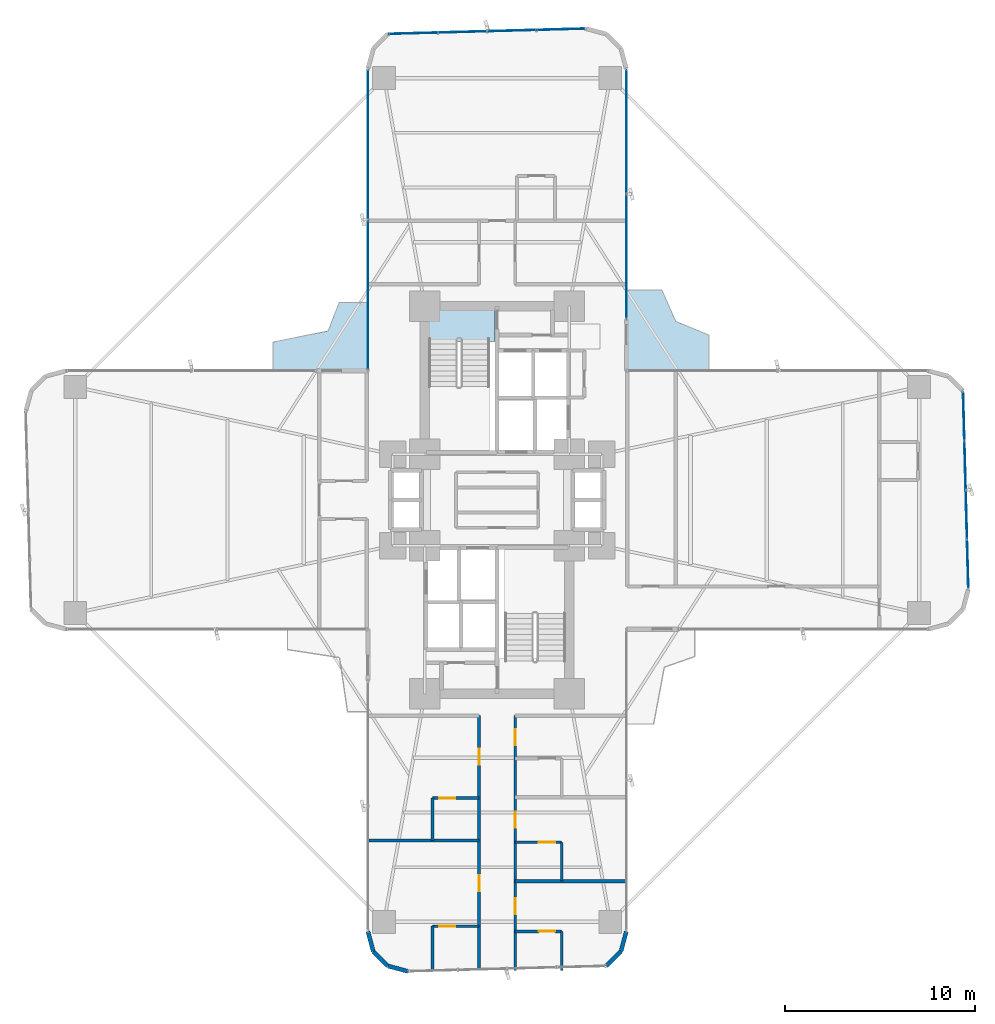
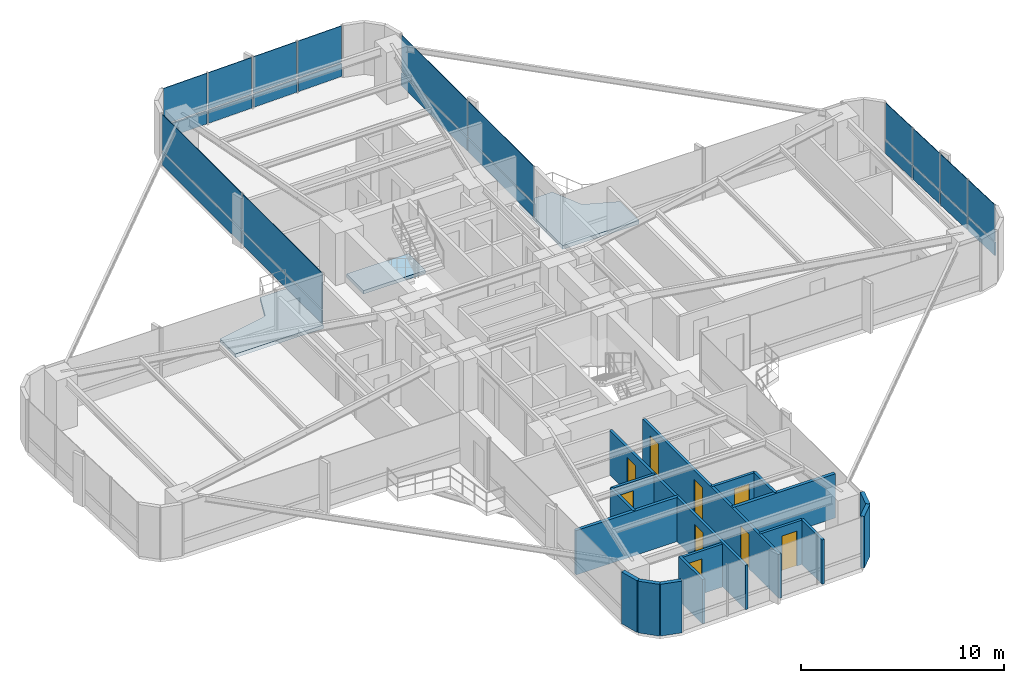
# One storey, part 21 of 25: 24 plates, 17 walls, 9 doors, 3 slabs, 9 openings, 4 elements without a shape of their own.
"""IFC4 building model written with IfcOpenShell, lengths in metres."""

from ifc_helpers import new_model, si_unit, direction, frame, frame_2d, origin, origin_2d, place, context, subcontext, project, spatial, polyline, rectangle, outline, extrude, source, transform, mapped, material, layer, layer_set, type_object, element, fill, aggregate, save


model = new_model("IFC4")

# Units and contexts
model_context = context("Model", 3, precision=1e-05, world=origin(), true_north=direction((0.0, 1.0)))
body_context = subcontext(model_context, "Body", "Model", "MODEL_VIEW")
ifc_project = project(units=[si_unit("LENGTHUNIT", "METRE"), si_unit("AREAUNIT", "SQUARE_METRE"), si_unit("VOLUMEUNIT", "CUBIC_METRE"), si_unit("PLANEANGLEUNIT", "RADIAN"), si_unit("MASSUNIT", "GRAM", prefix="KILO")], contexts=[model_context])

# Site, building, storey
site_placement = place(None, origin())
site = spatial("IfcSite", under=ifc_project, at=site_placement, CompositionType="ELEMENT")
building_placement = place(site_placement, origin())
building = spatial("IfcBuilding", under=site, at=building_placement, Name="Sahyath Konkavel Grand Hotel", CompositionType="ELEMENT")
storey_placement = place(building_placement, frame((0.0, 0.0, 39.85009765625)))
storey = spatial("IfcBuildingStorey", under=building, at=storey_placement, Name="L10", CompositionType="ELEMENT", Elevation=39.85009765625)

# Slabs
ifc_material_1 = material(Name="Concrete C40/50", Category="concrete")
ifc_layer_1 = layer(ifc_material_1, 0.219970703125)
ifc_layer_set_1 = layer_set([ifc_layer_1], Name="Concrete C40/50")
slab_type_1 = type_object("IfcSlabType", Name="SLB-BALCONY-220", PredefinedType="FLOOR", material=ifc_layer_set_1)
slab_1_placement = place(storey_placement, frame((0.0, 0.0, -0.22021484375)))
element("IfcSlab", 1, at=slab_1_placement, inside=storey, type_object=slab_type_1, Name="L10 Winter-Garden Balcony NE", PredefinedType="FLOOR", context=body_context, shape_type="SweptSolid", body=[
    extrude(outline(polyline([(6.800048828125, 6.800048828125), (11.155029296875, 6.800048828125), (11.155029296875, 8.670654296875), (9.39794921875, 9.39794921875), (8.670654296875, 11.044921875), (6.800048828125, 11.044921875), (6.800048828125, 6.800048828125)])), origin(), (0.0, 0.0, 1.0), 0.22021484375),
])
slab_2_placement = place(storey_placement, frame((0.0, 0.0, -0.22021484375)))
element("IfcSlab", 2, at=slab_2_placement, inside=storey, type_object=slab_type_1, Name="L10 Winter-Garden Balcony NW", PredefinedType="FLOOR", context=body_context, shape_type="SweptSolid", body=[
    extrude(outline(polyline([(-6.800048828125, 6.800048828125), (-6.800048828125, 10.402099609375), (-8.306884765625, 10.402099609375), (-8.89306640625, 8.89306640625), (-11.798095703125, 8.306884765625), (-11.798095703125, 6.800048828125), (-6.800048828125, 6.800048828125)])), origin(), (0.0, 0.0, 1.0), 0.22021484375),
])
ifc_layer_2 = layer(ifc_material_1, 0.199951171875)
ifc_layer_set_2 = layer_set([ifc_layer_2], Name="Concrete C40/50")
slab_type_2 = type_object("IfcSlabType", Name="SLB-STAIR-LND", PredefinedType="LANDING", material=ifc_layer_set_2)
slab_3_placement = place(storey_placement, frame((0.0, 0.0, -0.2001953125)))
element("IfcSlab", 3, at=slab_3_placement, inside=storey, type_object=slab_type_2, Name="L10 Stair ST-1 Floor Landing Slab", PredefinedType="LANDING", context=body_context, shape_type="SweptSolid", body=[
    extrude(outline(polyline([(-3.6201171875, 8.35009765625), (-0.10009765625, 8.35009765625), (-0.10009765625, 10.02001953125), (-3.6201171875, 10.02001953125), (-3.6201171875, 8.35009765625)])), origin(), (0.0, 0.0, 1.0), 0.2001953125),
])

# Curtain wall, plates
ifc_material_2 = material(Name="Anodised Bronze Aluminium & Low-E Glazing", Category="aluminium")
curtain_wall_type = type_object("IfcCurtainWallType", Name="CW-ZONE1", PredefinedType="NOTDEFINED", material=ifc_material_2)
curtain_wall_1_placement = place(storey_placement, origin())
curtain_wall_1 = element("IfcCurtainWall", 4, at=curtain_wall_1_placement, inside=storey, type_object=curtain_wall_type, Name="L10 Unitised Curtain Wall F15", PredefinedType="NOTDEFINED")
ifc_material_3 = material(Name="Warm Buff Sandstone Cladding", Category="masonry")
ifc_layer_3 = layer(ifc_material_3, 0.074951171875)
ifc_layer_set_3 = layer_set([ifc_layer_3], Name="Warm Buff Sandstone Cladding")
plate_type_1 = type_object("IfcPlateType", Name="PNL-SPANDREL-STONE", PredefinedType="SHEET", material=ifc_layer_set_3)
shared_shape_1 = source(origin(), body_context, "Body", "SweptSolid", [
    extrude(rectangle(XDim=7.830078125, YDim=0.074951171875, at=origin_2d()), origin(), (0.0, 0.0, 1.0), 0.77001953125),
])
plate_1_placement = place(storey_placement, frame((-6.800048828125, 18.705078125, 0.039794921875), z_axis=(0.0, 0.0, 1.0), x_axis=(0.0, -1.0, 0.0)))
plate_1 = element("IfcPlate", 5, at=plate_1_placement, type_object=plate_type_1, Name="L10 Sandstone Relief Spandrel Panel F15-0", PredefinedType="SHEET", context=body_context, shape_type="MappedRepresentation", body=[
    mapped(shared_shape_1, transform((0.0, 0.0, 0.0), scale=1.0)),
])
plate_2_placement = place(storey_placement, frame((-6.800048828125, 10.794921875, 0.039794921875), z_axis=(0.0, 0.0, 1.0), x_axis=(0.0, -1.0, 0.0)))
plate_2 = element("IfcPlate", 6, at=plate_2_placement, type_object=plate_type_1, Name="L10 Sandstone Relief Spandrel Panel F15-1", PredefinedType="SHEET", context=body_context, shape_type="MappedRepresentation", body=[
    mapped(shared_shape_1, transform((0.0, 0.0, 0.0), scale=1.0)),
])
ifc_material_4 = material(Name="Low-E Solar Control Double Glazing", Category="glass")
ifc_layer_4 = layer(ifc_material_4, 0.035888671875)
ifc_layer_set_4 = layer_set([ifc_layer_4], Name="Low-E Solar Control Double Glazing")
plate_type_2 = type_object("IfcPlateType", Name="PNL-VISION-LOWE", PredefinedType="CURTAIN_PANEL", material=ifc_layer_set_4)
shared_shape_2 = source(origin(), body_context, "Body", "SweptSolid", [
    extrude(rectangle(XDim=7.830078125, YDim=0.035888671875, at=origin_2d()), origin(), (0.0, 0.0, 1.0), 2.179931640625),
])
plate_3_placement = place(storey_placement, frame((-6.800048828125, 18.705078125, 0.89013671875), z_axis=(0.0, 0.0, 1.0), x_axis=(0.0, -1.0, 0.0)))
plate_3 = element("IfcPlate", 7, at=plate_3_placement, type_object=plate_type_2, Name="L10 Low-E Vision Glazing Panel F15-0", PredefinedType="CURTAIN_PANEL", context=body_context, shape_type="MappedRepresentation", body=[
    mapped(shared_shape_2, transform((0.0, 0.0, 0.0), scale=1.0)),
])
plate_4_placement = place(storey_placement, frame((-6.800048828125, 10.794921875, 0.89013671875), z_axis=(0.0, 0.0, 1.0), x_axis=(0.0, -1.0, 0.0)))
plate_4 = element("IfcPlate", 8, at=plate_4_placement, type_object=plate_type_2, Name="L10 Low-E Vision Glazing Panel F15-1", PredefinedType="CURTAIN_PANEL", context=body_context, shape_type="MappedRepresentation", body=[
    mapped(shared_shape_2, transform((0.0, 0.0, 0.0), scale=1.0)),
])
aggregate(curtain_wall_1, [plate_1, plate_3, plate_2, plate_4])

curtain_wall_2_placement = place(storey_placement, origin())
curtain_wall_2 = element("IfcCurtainWall", 9, at=curtain_wall_2_placement, inside=storey, type_object=curtain_wall_type, Name="L10 Unitised Curtain Wall F4", PredefinedType="NOTDEFINED")
shared_shape_3 = source(origin(), body_context, "Body", "SweptSolid", [
    extrude(rectangle(XDim=2.513427734375, YDim=0.074951171875, at=origin_2d()), origin(), (0.0, 0.0, 1.0), 0.77001953125),
])
plate_5_placement = place(storey_placement, frame((24.763916015625, -3.36376953125, 0.039794921875), z_axis=(0.0, 0.0, 1.0), x_axis=(-0.026909728301, 0.999637867691, 0.0)))
plate_5 = element("IfcPlate", 10, at=plate_5_placement, type_object=plate_type_1, Name="L10 Sandstone Relief Spandrel Panel F4-0", PredefinedType="SHEET", context=body_context, shape_type="MappedRepresentation", body=[
    mapped(shared_shape_3, transform((0.0, 0.0, 0.0), scale=1.0)),
])
plate_6_placement = place(storey_placement, frame((24.694091796875, -0.771240234375, 0.039794921875), z_axis=(0.0, 0.0, 1.0), x_axis=(-0.026909728301, 0.999637867691, 0.0)))
plate_6 = element("IfcPlate", 11, at=plate_6_placement, type_object=plate_type_1, Name="L10 Sandstone Relief Spandrel Panel F4-1", PredefinedType="SHEET", context=body_context, shape_type="MappedRepresentation", body=[
    mapped(shared_shape_3, transform((0.0, 0.0, 0.0), scale=1.0)),
])
plate_7_placement = place(storey_placement, frame((24.62451171875, 1.8212890625, 0.039794921875), z_axis=(0.0, 0.0, 1.0), x_axis=(-0.026909728301, 0.999637867691, 0.0)))
plate_7 = element("IfcPlate", 12, at=plate_7_placement, type_object=plate_type_1, Name="L10 Sandstone Relief Spandrel Panel F4-2", PredefinedType="SHEET", context=body_context, shape_type="MappedRepresentation", body=[
    mapped(shared_shape_3, transform((0.0, 0.0, 0.0), scale=1.0)),
])
plate_8_placement = place(storey_placement, frame((24.5546875, 4.413818359375, 0.039794921875), z_axis=(0.0, 0.0, 1.0), x_axis=(-0.026909728301, 0.999637867691, 0.0)))
plate_8 = element("IfcPlate", 13, at=plate_8_placement, type_object=plate_type_1, Name="L10 Sandstone Relief Spandrel Panel F4-3", PredefinedType="SHEET", context=body_context, shape_type="MappedRepresentation", body=[
    mapped(shared_shape_3, transform((0.0, 0.0, 0.0), scale=1.0)),
])

curtain_wall_3_placement = place(storey_placement, origin())
curtain_wall_3 = element("IfcCurtainWall", 14, at=curtain_wall_3_placement, inside=storey, type_object=curtain_wall_type, Name="L10 Unitised Curtain Wall F12", PredefinedType="NOTDEFINED")
plate_9_placement = place(storey_placement, frame((3.36376953125, 24.763916015625, 0.039794921875), z_axis=(0.0, 0.0, 1.0), x_axis=(-0.999637867691, -0.026909728301, 0.0)))
plate_9 = element("IfcPlate", 15, at=plate_9_placement, type_object=plate_type_1, Name="L10 Sandstone Relief Spandrel Panel F12-0", PredefinedType="SHEET", context=body_context, shape_type="MappedRepresentation", body=[
    mapped(shared_shape_3, transform((0.0, 0.0, 0.0), scale=1.0)),
])
plate_10_placement = place(storey_placement, frame((0.771240234375, 24.694091796875, 0.039794921875), z_axis=(0.0, 0.0, 1.0), x_axis=(-0.999637867691, -0.026909728301, 0.0)))
plate_10 = element("IfcPlate", 16, at=plate_10_placement, type_object=plate_type_1, Name="L10 Sandstone Relief Spandrel Panel F12-1", PredefinedType="SHEET", context=body_context, shape_type="MappedRepresentation", body=[
    mapped(shared_shape_3, transform((0.0, 0.0, 0.0), scale=1.0)),
])
plate_11_placement = place(storey_placement, frame((-1.8212890625, 24.62451171875, 0.039794921875), z_axis=(0.0, 0.0, 1.0), x_axis=(-0.999637867691, -0.026909728301, 0.0)))
plate_11 = element("IfcPlate", 17, at=plate_11_placement, type_object=plate_type_1, Name="L10 Sandstone Relief Spandrel Panel F12-2", PredefinedType="SHEET", context=body_context, shape_type="MappedRepresentation", body=[
    mapped(shared_shape_3, transform((0.0, 0.0, 0.0), scale=1.0)),
])
plate_12_placement = place(storey_placement, frame((-4.413818359375, 24.5546875, 0.039794921875), z_axis=(0.0, 0.0, 1.0), x_axis=(-0.999637867691, -0.026909728301, 0.0)))
plate_12 = element("IfcPlate", 18, at=plate_12_placement, type_object=plate_type_1, Name="L10 Sandstone Relief Spandrel Panel F12-3", PredefinedType="SHEET", context=body_context, shape_type="MappedRepresentation", body=[
    mapped(shared_shape_3, transform((0.0, 0.0, 0.0), scale=1.0)),
])

# Plate
shared_shape_4 = source(origin(), body_context, "Body", "SweptSolid", [
    extrude(rectangle(XDim=2.513427734375, YDim=0.035888671875, at=origin_2d()), origin(), (0.0, 0.0, 1.0), 2.179931640625),
])
plate_13_placement = place(storey_placement, frame((24.763916015625, -3.36376953125, 0.89013671875), z_axis=(0.0, 0.0, 1.0), x_axis=(-0.026909728301, 0.999637867691, 0.0)))
plate_13 = element("IfcPlate", 19, at=plate_13_placement, type_object=plate_type_2, Name="L10 Low-E Vision Glazing Panel F4-0", PredefinedType="CURTAIN_PANEL", context=body_context, shape_type="MappedRepresentation", body=[
    mapped(shared_shape_4, transform((0.0, 0.0, 0.0), scale=1.0)),
])

plate_14_placement = place(storey_placement, frame((24.694091796875, -0.771240234375, 0.89013671875), z_axis=(0.0, 0.0, 1.0), x_axis=(-0.026909728301, 0.999637867691, 0.0)))
plate_14 = element("IfcPlate", 20, at=plate_14_placement, type_object=plate_type_2, Name="L10 Low-E Vision Glazing Panel F4-1", PredefinedType="CURTAIN_PANEL", context=body_context, shape_type="MappedRepresentation", body=[
    mapped(shared_shape_4, transform((0.0, 0.0, 0.0), scale=1.0)),
])

plate_15_placement = place(storey_placement, frame((24.62451171875, 1.8212890625, 0.89013671875), z_axis=(0.0, 0.0, 1.0), x_axis=(-0.026909728301, 0.999637867691, 0.0)))
plate_15 = element("IfcPlate", 21, at=plate_15_placement, type_object=plate_type_2, Name="L10 Low-E Vision Glazing Panel F4-2", PredefinedType="CURTAIN_PANEL", context=body_context, shape_type="MappedRepresentation", body=[
    mapped(shared_shape_4, transform((0.0, 0.0, 0.0), scale=1.0)),
])

plate_16_placement = place(storey_placement, frame((24.5546875, 4.413818359375, 0.89013671875), z_axis=(0.0, 0.0, 1.0), x_axis=(-0.026909728301, 0.999637867691, 0.0)))
plate_16 = element("IfcPlate", 22, at=plate_16_placement, type_object=plate_type_2, Name="L10 Low-E Vision Glazing Panel F4-3", PredefinedType="CURTAIN_PANEL", context=body_context, shape_type="MappedRepresentation", body=[
    mapped(shared_shape_4, transform((0.0, 0.0, 0.0), scale=1.0)),
])

aggregate(curtain_wall_2, [plate_5, plate_13, plate_6, plate_14, plate_7, plate_15, plate_8, plate_16])

plate_17_placement = place(storey_placement, frame((3.36376953125, 24.763916015625, 0.89013671875), z_axis=(0.0, 0.0, 1.0), x_axis=(-0.999637867691, -0.026909728301, 0.0)))
plate_17 = element("IfcPlate", 23, at=plate_17_placement, type_object=plate_type_2, Name="L10 Low-E Vision Glazing Panel F12-0", PredefinedType="CURTAIN_PANEL", context=body_context, shape_type="MappedRepresentation", body=[
    mapped(shared_shape_4, transform((0.0, 0.0, 0.0), scale=1.0)),
])

plate_18_placement = place(storey_placement, frame((0.771240234375, 24.694091796875, 0.89013671875), z_axis=(0.0, 0.0, 1.0), x_axis=(-0.999637867691, -0.026909728301, 0.0)))
plate_18 = element("IfcPlate", 24, at=plate_18_placement, type_object=plate_type_2, Name="L10 Low-E Vision Glazing Panel F12-1", PredefinedType="CURTAIN_PANEL", context=body_context, shape_type="MappedRepresentation", body=[
    mapped(shared_shape_4, transform((0.0, 0.0, 0.0), scale=1.0)),
])

plate_19_placement = place(storey_placement, frame((-1.8212890625, 24.62451171875, 0.89013671875), z_axis=(0.0, 0.0, 1.0), x_axis=(-0.999637867691, -0.026909728301, 0.0)))
plate_19 = element("IfcPlate", 25, at=plate_19_placement, type_object=plate_type_2, Name="L10 Low-E Vision Glazing Panel F12-2", PredefinedType="CURTAIN_PANEL", context=body_context, shape_type="MappedRepresentation", body=[
    mapped(shared_shape_4, transform((0.0, 0.0, 0.0), scale=1.0)),
])

plate_20_placement = place(storey_placement, frame((-4.413818359375, 24.5546875, 0.89013671875), z_axis=(0.0, 0.0, 1.0), x_axis=(-0.999637867691, -0.026909728301, 0.0)))
plate_20 = element("IfcPlate", 26, at=plate_20_placement, type_object=plate_type_2, Name="L10 Low-E Vision Glazing Panel F12-3", PredefinedType="CURTAIN_PANEL", context=body_context, shape_type="MappedRepresentation", body=[
    mapped(shared_shape_4, transform((0.0, 0.0, 0.0), scale=1.0)),
])

aggregate(curtain_wall_3, [plate_9, plate_17, plate_10, plate_18, plate_11, plate_19, plate_12, plate_20])

# Curtain wall, plates
curtain_wall_4_placement = place(storey_placement, origin())
curtain_wall_4 = element("IfcCurtainWall", 27, at=curtain_wall_4_placement, inside=storey, type_object=curtain_wall_type, Name="L10 Unitised Curtain Wall F8", PredefinedType="NOTDEFINED")
shared_shape_5 = source(origin(), body_context, "Body", "SweptSolid", [
    extrude(rectangle(XDim=6.47998046875, YDim=0.074951171875, at=origin_2d()), origin(), (0.0, 0.0, 1.0), 0.77001953125),
])
plate_21_placement = place(storey_placement, frame((6.800048828125, 12.820068359375, 0.039794921875), z_axis=(0.0, 0.0, 1.0), x_axis=(0.0, 1.0, 0.0)))
plate_21 = element("IfcPlate", 28, at=plate_21_placement, type_object=plate_type_1, Name="L10 Sandstone Relief Spandrel Panel F8-0", PredefinedType="SHEET", context=body_context, shape_type="MappedRepresentation", body=[
    mapped(shared_shape_5, transform((0.0, 0.0, 0.0), scale=1.0)),
])
plate_22_placement = place(storey_placement, frame((6.800048828125, 19.3798828125, 0.039794921875), z_axis=(0.0, 0.0, 1.0), x_axis=(0.0, 1.0, 0.0)))
plate_22 = element("IfcPlate", 29, at=plate_22_placement, type_object=plate_type_1, Name="L10 Sandstone Relief Spandrel Panel F8-1", PredefinedType="SHEET", context=body_context, shape_type="MappedRepresentation", body=[
    mapped(shared_shape_5, transform((0.0, 0.0, 0.0), scale=1.0)),
])
shared_shape_6 = source(origin(), body_context, "Body", "SweptSolid", [
    extrude(rectangle(XDim=6.47998046875, YDim=0.035888671875, at=origin_2d()), origin(), (0.0, 0.0, 1.0), 2.179931640625),
])
plate_23_placement = place(storey_placement, frame((6.800048828125, 12.820068359375, 0.89013671875), z_axis=(0.0, 0.0, 1.0), x_axis=(0.0, 1.0, 0.0)))
plate_23 = element("IfcPlate", 30, at=plate_23_placement, type_object=plate_type_2, Name="L10 Low-E Vision Glazing Panel F8-0", PredefinedType="CURTAIN_PANEL", context=body_context, shape_type="MappedRepresentation", body=[
    mapped(shared_shape_6, transform((0.0, 0.0, 0.0), scale=1.0)),
])
plate_24_placement = place(storey_placement, frame((6.800048828125, 19.3798828125, 0.89013671875), z_axis=(0.0, 0.0, 1.0), x_axis=(0.0, 1.0, 0.0)))
plate_24 = element("IfcPlate", 31, at=plate_24_placement, type_object=plate_type_2, Name="L10 Low-E Vision Glazing Panel F8-1", PredefinedType="CURTAIN_PANEL", context=body_context, shape_type="MappedRepresentation", body=[
    mapped(shared_shape_6, transform((0.0, 0.0, 0.0), scale=1.0)),
])
aggregate(curtain_wall_4, [plate_21, plate_23, plate_22, plate_24])

# Walls
ifc_material_5 = material(Name="Warm Buff Sandstone Insulated Concrete C40/50", Category="masonry")
ifc_layer_5 = layer(ifc_material_5, 0.219970703125)
ifc_layer_set_5 = layer_set([ifc_layer_5], Name="Warm Buff Sandstone Insulated Concrete C40/50")
wall_type_1 = type_object("IfcWallType", Name="WLL-BALC-THRESH", PredefinedType="STANDARD", material=ifc_layer_set_5)
for number, where, z_axis, x_axis, name in (
    (32, (-6.800048828125, -22.699951171875, 0.0), (0.0, 0.0, 1.0), (0.25872485917, -0.965951058412, 0.0), "L10 Rounded Corner Sandstone Pier 25"),
    (33, (-6.518798828125, -23.75, 0.0), (0.0, 0.0, 1.0), (0.707106781187, -0.707106781187, 0.0), "L10 Rounded Corner Sandstone Pier 26"),
    (34, (-5.75, -24.518798828125, 0.0), (0.0, 0.0, 1.0), (0.965951058412, -0.25872485917, 0.0), "L10 Rounded Corner Sandstone Pier 27"),
    (35, (5.75, -24.518798828125, 0.0), (0.0, 0.0, 1.0), (0.707106781187, 0.707106781187, 0.0), "L10 Rounded Corner Sandstone Pier 29"),
    (36, (6.518798828125, -23.75, 0.0), (0.0, 0.0, 1.0), (0.25872485917, 0.965951058412, 0.0), "L10 Rounded Corner Sandstone Pier 30"),
):
    element("IfcWall", number, at=place(storey_placement, frame(where, z_axis=z_axis, x_axis=x_axis)), inside=storey, type_object=wall_type_1, Name=name, PredefinedType="STANDARD", context=body_context, shape_type="SweptSolid", body=[
        extrude(rectangle(XDim=1.087158203125, YDim=0.219970703125, at=frame_2d((0.54345703125, 0.0))), origin(), (0.0, 0.0, 1.0), 3.10986328125),
    ])
ifc_material_6 = material(Name="Twin-Stud Acoustic Gypsum Plasterboard Partition")
ifc_layer_6 = layer(ifc_material_6, 0.179931640625)
ifc_layer_set_6 = layer_set([ifc_layer_6], Name="Twin-Stud Acoustic Gypsum Plasterboard Partition")
wall_type_2 = type_object("IfcWallType", Name="WLL-DEMISE-180", PredefinedType="PARTITIONING", material=ifc_layer_set_6)
for number, where, z_axis, x_axis, name in (
    (37, (0.949951171875, -20.06005859375, 0.0), (0.0, 0.0, 1.0), (1.0, 0.0, 0.0), "L10 Partition S-S2L-DEM"),
    (38, (-0.949951171875, -17.916015625, 0.0), (0.0, 0.0, 1.0), (-1.0, 0.0, 0.0), "L10 Partition S-S1R-DEM"),
):
    element("IfcWall", number, at=place(storey_placement, frame(where, z_axis=z_axis, x_axis=x_axis)), inside=storey, type_object=wall_type_2, Name=name, PredefinedType="PARTITIONING", context=body_context, shape_type="SweptSolid", body=[
        extrude(rectangle(XDim=5.800048828125, YDim=0.179931640625, at=frame_2d((2.89990234375, 0.0))), origin(), (0.0, 0.0, 1.0), 2.659912109375),
    ])

# Wall, openings, doors
ifc_material_7 = material(Name="Fire-Rated Gypsum Plasterboard Partition")
ifc_layer_7 = layer(ifc_material_7, 0.14990234375)
ifc_layer_set_7 = layer_set([ifc_layer_7], Name="Fire-Rated Gypsum Plasterboard Partition")
wall_type_3 = type_object("IfcWallType", Name="WLL-PART-150", PredefinedType="PARTITIONING", material=ifc_layer_set_7)
wall_1_placement = place(storey_placement, frame((0.949951171875, -11.35009765625, 0.0), z_axis=(0.0, 0.0, 1.0), x_axis=(0.0, -1.0, 0.0)))
wall_1 = element("IfcWall", 39, at=wall_1_placement, inside=storey, type_object=wall_type_3, Name="L10 Partition S-CL", PredefinedType="PARTITIONING", context=body_context, shape_type="SweptSolid", body=[
    extrude(rectangle(XDim=13.39990234375, YDim=0.14990234375, at=frame_2d((6.699951171875, 0.0))), origin(), (0.0, 0.0, 1.0), 2.659912109375),
])
opening_1_placement = place(wall_1_placement, frame((0.699951171875, 0.0, 0.0)))
opening_1 = element("IfcOpeningElement", 40, at=opening_1_placement, cuts=wall_1, Name="Opening D-F06D", PredefinedType="OPENING", context=body_context, shape_type="SweptSolid", body=[
    extrude(rectangle(XDim=0.85009765625, YDim=2.10009765625, at=frame_2d((0.425048828125, 1.050048828125))), frame((0.0, 0.0849609375, 0.0), z_axis=(0.0, -1.0, 0.0), x_axis=(1.0, 0.0, 0.0)), (0.0, 0.0, 1.0), 0.169921875),
])
opening_2_placement = place(wall_1_placement, frame((5.049072265625, 0.0, 0.0)))
opening_2 = element("IfcOpeningElement", 41, at=opening_2_placement, cuts=wall_1, Name="Opening D-F06D", PredefinedType="OPENING", context=body_context, shape_type="SweptSolid", body=[
    extrude(rectangle(XDim=0.85009765625, YDim=2.10009765625, at=frame_2d((0.425048828125, 1.050048828125))), frame((0.0, 0.0849609375, 0.0), z_axis=(0.0, -1.0, 0.0), x_axis=(1.0, 0.0, 0.0)), (0.0, 0.0, 1.0), 0.169921875),
])
opening_3_placement = place(wall_1_placement, frame((9.60498046875, 0.0, 0.0)))
opening_3 = element("IfcOpeningElement", 42, at=opening_3_placement, cuts=wall_1, Name="Opening D-F06D", PredefinedType="OPENING", context=body_context, shape_type="SweptSolid", body=[
    extrude(rectangle(XDim=0.85009765625, YDim=2.10009765625, at=frame_2d((0.425048828125, 1.050048828125))), frame((0.0, 0.0849609375, 0.0), z_axis=(0.0, -1.0, 0.0), x_axis=(1.0, 0.0, 0.0)), (0.0, 0.0, 1.0), 0.169921875),
])
ifc_material_8 = material(Name="Fire-Rated Shaft Access Door")
door_type_1 = type_object("IfcDoorType", Name="DR-FD60-850", OperationType="NOTDEFINED", PredefinedType="DOOR", material=ifc_material_8)
shared_shape_7 = source(origin(), body_context, "Body", "SweptSolid", [
    extrude(rectangle(XDim=0.85009765625, YDim=0.050048828125, at=origin_2d()), origin(), (0.0, 0.0, 1.0), 2.10009765625),
])
door_1_placement = place(opening_1_placement, frame((0.425048828125, 0.0, 0.0)))
door_1 = element("IfcDoor", 43, at=door_1_placement, inside=storey, type_object=door_type_1, Name="L10 Door S-S1L-ED", OperationType="SINGLE_SWING_LEFT", OverallHeight=2.10009765625, OverallWidth=0.85009765625, PredefinedType="DOOR", context=body_context, shape_type="MappedRepresentation", body=[
    mapped(shared_shape_7, transform((0.0, 0.0, 0.0), scale=1.0)),
])
fill(opening_1, door_1)
door_2_placement = place(opening_2_placement, frame((0.425048828125, 0.0, 0.0)))
door_2 = element("IfcDoor", 44, at=door_2_placement, inside=storey, type_object=door_type_1, Name="L10 Door S-S2L-ED", OperationType="SINGLE_SWING_LEFT", OverallHeight=2.10009765625, OverallWidth=0.85009765625, PredefinedType="DOOR", context=body_context, shape_type="MappedRepresentation", body=[
    mapped(shared_shape_7, transform((0.0, 0.0, 0.0), scale=1.0)),
])
fill(opening_2, door_2)
door_3_placement = place(opening_3_placement, frame((0.425048828125, 0.0, 0.0)))
door_3 = element("IfcDoor", 45, at=door_3_placement, inside=storey, type_object=door_type_1, Name="L10 Door S-S3L-ED", OperationType="SINGLE_SWING_LEFT", OverallHeight=2.10009765625, OverallWidth=0.85009765625, PredefinedType="DOOR", context=body_context, shape_type="MappedRepresentation", body=[
    mapped(shared_shape_7, transform((0.0, 0.0, 0.0), scale=1.0)),
])
fill(opening_3, door_3)

wall_2_placement = place(storey_placement, frame((-0.949951171875, -11.35009765625, 0.0), z_axis=(0.0, 0.0, 1.0), x_axis=(0.0, -1.0, 0.0)))
wall_2 = element("IfcWall", 46, at=wall_2_placement, inside=storey, type_object=wall_type_3, Name="L10 Partition S-CR", PredefinedType="PARTITIONING", context=body_context, shape_type="SweptSolid", body=[
    extrude(rectangle(XDim=13.39990234375, YDim=0.14990234375, at=frame_2d((6.699951171875, 0.0))), origin(), (0.0, 0.0, 1.0), 2.659912109375),
])
opening_4_placement = place(wall_2_placement, frame((1.741943359375, 0.0, 0.0)))
opening_4 = element("IfcOpeningElement", 47, at=opening_4_placement, cuts=wall_2, Name="Opening D-F06D", PredefinedType="OPENING", context=body_context, shape_type="SweptSolid", body=[
    extrude(rectangle(XDim=0.85009765625, YDim=2.10009765625, at=frame_2d((0.425048828125, 1.050048828125))), frame((0.0, 0.0849609375, 0.0), z_axis=(0.0, -1.0, 0.0), x_axis=(1.0, 0.0, 0.0)), (0.0, 0.0, 1.0), 0.169921875),
])
opening_5_placement = place(wall_2_placement, frame((8.39599609375, 0.0, 0.0)))
opening_5 = element("IfcOpeningElement", 48, at=opening_5_placement, cuts=wall_2, Name="Opening D-F06D", PredefinedType="OPENING", context=body_context, shape_type="SweptSolid", body=[
    extrude(rectangle(XDim=0.85009765625, YDim=2.10009765625, at=frame_2d((0.425048828125, 1.050048828125))), frame((0.0, 0.0849609375, 0.0), z_axis=(0.0, -1.0, 0.0), x_axis=(1.0, 0.0, 0.0)), (0.0, 0.0, 1.0), 0.169921875),
])
door_4_placement = place(opening_4_placement, frame((0.425048828125, 0.0, 0.0)))
door_4 = element("IfcDoor", 49, at=door_4_placement, inside=storey, type_object=door_type_1, Name="L10 Door S-S1R-ED", OperationType="SINGLE_SWING_LEFT", OverallHeight=2.10009765625, OverallWidth=0.85009765625, PredefinedType="DOOR", context=body_context, shape_type="MappedRepresentation", body=[
    mapped(shared_shape_7, transform((0.0, 0.0, 0.0), scale=1.0)),
])
fill(opening_4, door_4)
door_5_placement = place(opening_5_placement, frame((0.425048828125, 0.0, 0.0)))
door_5 = element("IfcDoor", 50, at=door_5_placement, inside=storey, type_object=door_type_1, Name="L10 Door S-S2R-ED", OperationType="SINGLE_SWING_LEFT", OverallHeight=2.10009765625, OverallWidth=0.85009765625, PredefinedType="DOOR", context=body_context, shape_type="MappedRepresentation", body=[
    mapped(shared_shape_7, transform((0.0, 0.0, 0.0), scale=1.0)),
])
fill(opening_5, door_5)

# Wall, opening, door
wall_3_placement = place(storey_placement, frame((0.949951171875, -18.010009765625, 0.0), z_axis=(0.0, 0.0, 1.0), x_axis=(1.0, 0.0, 0.0)))
wall_3 = element("IfcWall", 51, at=wall_3_placement, inside=storey, type_object=wall_type_3, Name="L10 Partition S-S2L-BS", PredefinedType="PARTITIONING", context=body_context, shape_type="SweptSolid", body=[
    extrude(rectangle(XDim=2.449951171875, YDim=0.14990234375, at=frame_2d((1.22509765625, 0.0))), origin(), (0.0, 0.0, 1.0), 2.659912109375),
])
opening_6_placement = place(wall_3_placement, frame((1.25, 0.0, 0.0)))
opening_6 = element("IfcOpeningElement", 52, at=opening_6_placement, cuts=wall_3, Name="Opening D-BT85", PredefinedType="OPENING", context=body_context, shape_type="SweptSolid", body=[
    extrude(rectangle(XDim=0.85009765625, YDim=2.10009765625, at=frame_2d((0.425048828125, 1.050048828125))), frame((0.0, 0.0849609375, 0.0), z_axis=(0.0, -1.0, 0.0), x_axis=(1.0, 0.0, 0.0)), (0.0, 0.0, 1.0), 0.169921875),
])
ifc_material_9 = material(Name="Moisture-Resistant Teak Bathroom Door")
door_type_2 = type_object("IfcDoorType", Name="DR-BATH-850", OperationType="NOTDEFINED", PredefinedType="DOOR", material=ifc_material_9)
door_6_placement = place(opening_6_placement, frame((0.425048828125, 0.0, 0.0)))
door_6 = element("IfcDoor", 53, at=door_6_placement, inside=storey, type_object=door_type_2, Name="L10 Door S-S2L-BD", OperationType="SINGLE_SWING_RIGHT", OverallHeight=2.10009765625, OverallWidth=0.85009765625, PredefinedType="DOOR", context=body_context, shape_type="MappedRepresentation", body=[
    mapped(shared_shape_7, transform((0.0, 0.0, 0.0), scale=1.0)),
])
fill(opening_6, door_6)

# Wall
wall_4_placement = place(storey_placement, frame((3.39990234375, -18.010009765625, 0.0), z_axis=(0.0, 0.0, 1.0), x_axis=(0.0, -1.0, 0.0)))
element("IfcWall", 54, at=wall_4_placement, inside=storey, type_object=wall_type_3, Name="L10 Partition S-S2L-BF", PredefinedType="PARTITIONING", context=body_context, shape_type="SweptSolid", body=[
    extrude(rectangle(XDim=2.050048828125, YDim=0.14990234375, at=frame_2d((1.02490234375, 0.0))), origin(), (0.0, 0.0, 1.0), 2.659912109375),
])

# Wall, opening, door
wall_5_placement = place(storey_placement, frame((0.949951171875, -22.699951171875, 0.0), z_axis=(0.0, 0.0, 1.0), x_axis=(1.0, 0.0, 0.0)))
wall_5 = element("IfcWall", 55, at=wall_5_placement, inside=storey, type_object=wall_type_3, Name="L10 Partition S-S3L-BS", PredefinedType="PARTITIONING", context=body_context, shape_type="SweptSolid", body=[
    extrude(rectangle(XDim=2.449951171875, YDim=0.14990234375, at=frame_2d((1.22509765625, 0.0))), origin(), (0.0, 0.0, 1.0), 2.659912109375),
])
opening_7_placement = place(wall_5_placement, frame((1.25, 0.0, 0.0)))
opening_7 = element("IfcOpeningElement", 56, at=opening_7_placement, cuts=wall_5, Name="Opening D-BT85", PredefinedType="OPENING", context=body_context, shape_type="SweptSolid", body=[
    extrude(rectangle(XDim=0.85009765625, YDim=2.10009765625, at=frame_2d((0.425048828125, 1.050048828125))), frame((0.0, 0.0849609375, 0.0), z_axis=(0.0, -1.0, 0.0), x_axis=(1.0, 0.0, 0.0)), (0.0, 0.0, 1.0), 0.169921875),
])
door_7_placement = place(opening_7_placement, frame((0.425048828125, 0.0, 0.0)))
door_7 = element("IfcDoor", 57, at=door_7_placement, inside=storey, type_object=door_type_2, Name="L10 Door S-S3L-BD", OperationType="SINGLE_SWING_RIGHT", OverallHeight=2.10009765625, OverallWidth=0.85009765625, PredefinedType="DOOR", context=body_context, shape_type="MappedRepresentation", body=[
    mapped(shared_shape_7, transform((0.0, 0.0, 0.0), scale=1.0)),
])
fill(opening_7, door_7)

# Wall
wall_6_placement = place(storey_placement, frame((3.39990234375, -22.699951171875, 0.0), z_axis=(0.0, 0.0, 1.0), x_axis=(0.0, -1.0, 0.0)))
element("IfcWall", 58, at=wall_6_placement, inside=storey, type_object=wall_type_3, Name="L10 Partition S-S3L-BF", PredefinedType="PARTITIONING", context=body_context, shape_type="SweptSolid", body=[
    extrude(rectangle(XDim=2.050048828125, YDim=0.14990234375, at=frame_2d((1.02490234375, 0.0))), origin(), (0.0, 0.0, 1.0), 2.659912109375),
])

# Wall, opening, door
wall_7_placement = place(storey_placement, frame((-0.949951171875, -15.68408203125, 0.0), z_axis=(0.0, 0.0, 1.0), x_axis=(-1.0, 0.0, 0.0)))
wall_7 = element("IfcWall", 59, at=wall_7_placement, inside=storey, type_object=wall_type_3, Name="L10 Partition S-S1R-BS", PredefinedType="PARTITIONING", context=body_context, shape_type="SweptSolid", body=[
    extrude(rectangle(XDim=2.449951171875, YDim=0.14990234375, at=frame_2d((1.22509765625, 0.0))), origin(), (0.0, 0.0, 1.0), 2.659912109375),
])
opening_8_placement = place(wall_7_placement, frame((1.25, 0.0, 0.0)))
opening_8 = element("IfcOpeningElement", 60, at=opening_8_placement, cuts=wall_7, Name="Opening D-BT85", PredefinedType="OPENING", context=body_context, shape_type="SweptSolid", body=[
    extrude(rectangle(XDim=0.85009765625, YDim=2.10009765625, at=frame_2d((0.425048828125, 1.050048828125))), frame((0.0, 0.0849609375, 0.0), z_axis=(0.0, -1.0, 0.0), x_axis=(1.0, 0.0, 0.0)), (0.0, 0.0, 1.0), 0.169921875),
])
door_8_placement = place(opening_8_placement, frame((0.425048828125, 0.0, 0.0)))
door_8 = element("IfcDoor", 61, at=door_8_placement, inside=storey, type_object=door_type_2, Name="L10 Door S-S1R-BD", OperationType="SINGLE_SWING_RIGHT", OverallHeight=2.10009765625, OverallWidth=0.85009765625, PredefinedType="DOOR", context=body_context, shape_type="MappedRepresentation", body=[
    mapped(shared_shape_7, transform((0.0, 0.0, 0.0), scale=1.0)),
])
fill(opening_8, door_8)

# Wall
wall_8_placement = place(storey_placement, frame((-3.39990234375, -15.68408203125, 0.0), z_axis=(0.0, 0.0, 1.0), x_axis=(0.0, -1.0, 0.0)))
element("IfcWall", 62, at=wall_8_placement, inside=storey, type_object=wall_type_3, Name="L10 Partition S-S1R-BF", PredefinedType="PARTITIONING", context=body_context, shape_type="SweptSolid", body=[
    extrude(rectangle(XDim=2.23193359375, YDim=0.14990234375, at=frame_2d((1.115966796875, 0.0))), origin(), (0.0, 0.0, 1.0), 2.659912109375),
])

# Wall, opening, door
wall_9_placement = place(storey_placement, frame((-0.949951171875, -22.426025390625, 0.0), z_axis=(0.0, 0.0, 1.0), x_axis=(-1.0, 0.0, 0.0)))
wall_9 = element("IfcWall", 63, at=wall_9_placement, inside=storey, type_object=wall_type_3, Name="L10 Partition S-S2R-BS", PredefinedType="PARTITIONING", context=body_context, shape_type="SweptSolid", body=[
    extrude(rectangle(XDim=2.449951171875, YDim=0.14990234375, at=frame_2d((1.22509765625, 0.0))), origin(), (0.0, 0.0, 1.0), 2.579833984375),
])
opening_9_placement = place(wall_9_placement, frame((1.25, 0.0, 0.0)))
opening_9 = element("IfcOpeningElement", 64, at=opening_9_placement, cuts=wall_9, Name="Opening D-BT85", PredefinedType="OPENING", context=body_context, shape_type="SweptSolid", body=[
    extrude(rectangle(XDim=0.85009765625, YDim=2.10009765625, at=frame_2d((0.425048828125, 1.050048828125))), frame((0.0, 0.0849609375, 0.0), z_axis=(0.0, -1.0, 0.0), x_axis=(1.0, 0.0, 0.0)), (0.0, 0.0, 1.0), 0.169921875),
])
door_9_placement = place(opening_9_placement, frame((0.425048828125, 0.0, 0.0)))
door_9 = element("IfcDoor", 65, at=door_9_placement, inside=storey, type_object=door_type_2, Name="L10 Door S-S2R-BD", OperationType="SINGLE_SWING_RIGHT", OverallHeight=2.10009765625, OverallWidth=0.85009765625, PredefinedType="DOOR", context=body_context, shape_type="MappedRepresentation", body=[
    mapped(shared_shape_7, transform((0.0, 0.0, 0.0), scale=1.0)),
])
fill(opening_9, door_9)

# Wall
wall_10_placement = place(storey_placement, frame((-3.39990234375, -22.426025390625, 0.0), z_axis=(0.0, 0.0, 1.0), x_axis=(0.0, -1.0, 0.0)))
element("IfcWall", 66, at=wall_10_placement, inside=storey, type_object=wall_type_3, Name="L10 Partition S-S2R-BF", PredefinedType="PARTITIONING", context=body_context, shape_type="SweptSolid", body=[
    extrude(rectangle(XDim=2.323974609375, YDim=0.14990234375, at=frame_2d((1.162109375, 0.0))), origin(), (0.0, 0.0, 1.0), 2.659912109375),
])

save(model, "model.ifc")
